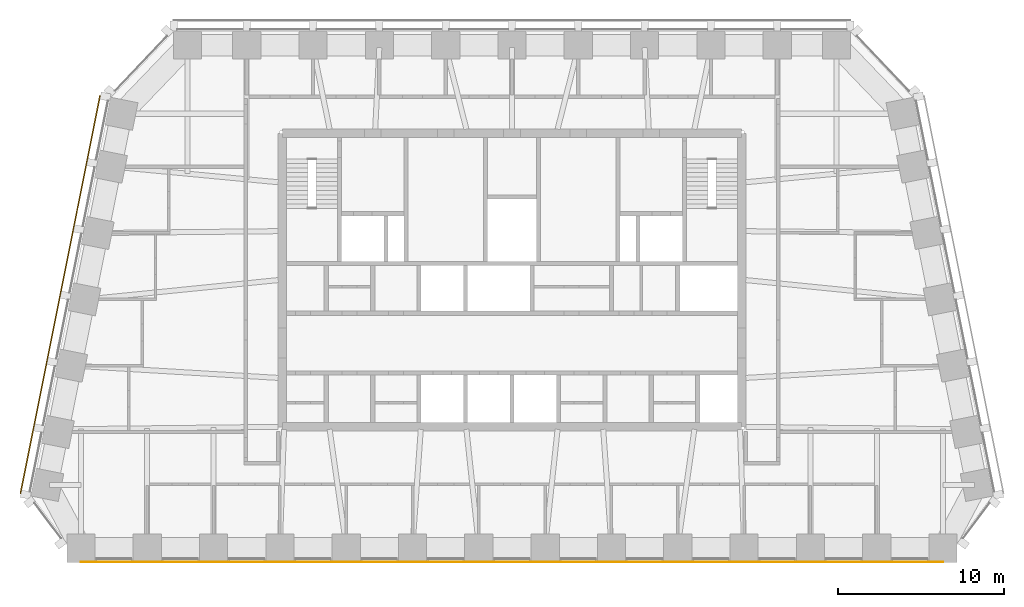
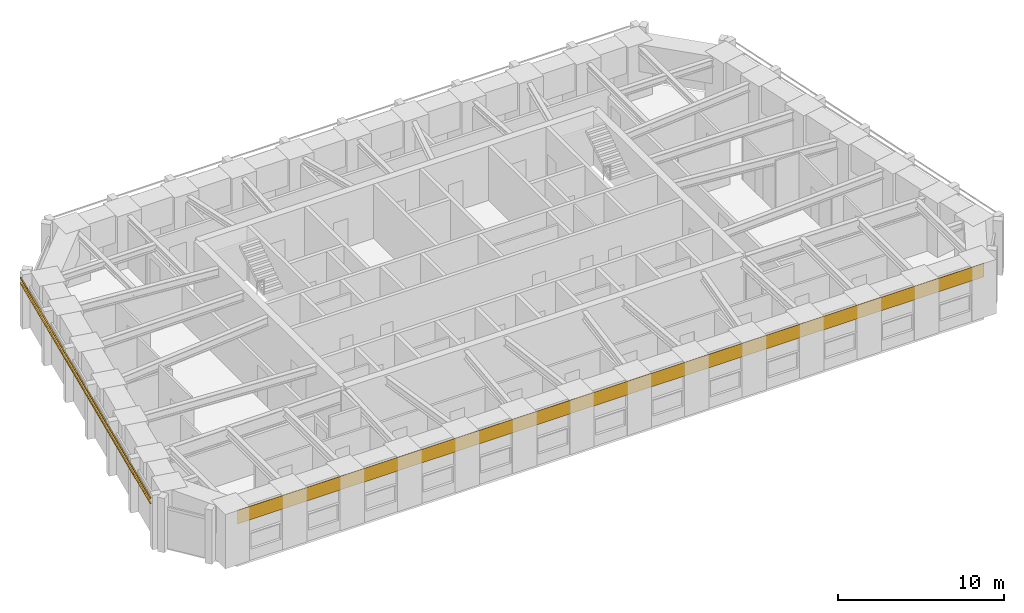
# One storey, part 8 of 10: 2 shading devices, 1 covering.
"""IFC4 building model written with IfcOpenShell, lengths in metres."""

from ifc_helpers import new_model, si_unit, direction, frame, origin, origin_2d, place, context, subcontext, project, spatial, rectangle, extrude, material, layer, layer_set, material_profile, profile_set, type_object, element, save


model = new_model("IFC4")

# Units and contexts
model_context = context("Model", 3, precision=1e-05, world=origin(), true_north=direction((0.0, 1.0)))
body_context = subcontext(model_context, "Body", "Model", "MODEL_VIEW")
ifc_project = project(units=[si_unit("LENGTHUNIT", "METRE"), si_unit("AREAUNIT", "SQUARE_METRE"), si_unit("VOLUMEUNIT", "CUBIC_METRE"), si_unit("PLANEANGLEUNIT", "RADIAN"), si_unit("MASSUNIT", "GRAM", prefix="KILO")], contexts=[model_context])

# Site, building, storey
site_placement = place(None, origin())
site = spatial("IfcSite", under=ifc_project, at=site_placement, CompositionType="ELEMENT")
building_placement = place(site_placement, origin())
building = spatial("IfcBuilding", under=site, at=building_placement, Name="Isbrekke Arena Tower", CompositionType="ELEMENT")
storey_placement = place(building_placement, frame((0.0, 0.0, 300.0)))
storey = spatial("IfcBuildingStorey", under=building, at=storey_placement, Name="L70", CompositionType="ELEMENT", Elevation=300.0)

# Shading devices
ifc_material_1 = material(Name="Terracotta", Category="masonry")
ifc_material_profile = material_profile(ifc_material_1, rectangle(XDim=0.06005859375, YDim=0.06005859375, at=origin_2d()), Name="BAGUETTE 60X60")
ifc_profile_set = profile_set([ifc_material_profile], Name="Terracotta")
shading_device_type = type_object("IfcShadingDeviceType", Name="BG1 TERRACOTTA BAGUETTE 60 x 60", PredefinedType="USERDEFINED", material=ifc_profile_set)
for number, where, z_axis, x_axis, name in (
    (1, (-24.84228515625, 26.12841796875, 3.280029296875), (-0.196118053403, -0.980580292036, 0.0), (0.980580292036, -0.196118053403, 0.0), "BG1 terracotta baguette W1 L70"),
    (2, (-24.84228515625, 26.12841796875, 3.679931640625), (-0.196118053403, -0.980580292036, 0.0), (0.980580292036, -0.196118053403, 0.0), "BG1 terracotta baguette W2 L70"),
):
    element("IfcShadingDevice", number, at=place(storey_placement, frame(where, z_axis=z_axis, x_axis=x_axis)), inside=storey, type_object=shading_device_type, Name=name, ObjectType="TERRACOTTA BAGUETTE", PredefinedType="USERDEFINED", context=body_context, shape_type="SweptSolid", body=[
        extrude(rectangle(XDim=0.06005859375, YDim=0.06005859375, at=origin_2d()), origin(), (0.0, 0.0, 1.0), 24.475341796875),
    ])

# Covering
ifc_material_2 = material(Name="Pre-patinated copper sheet", Category="metal")
ifc_layer = layer(ifc_material_2, 0.02001953125)
ifc_layer_set = layer_set([ifc_layer], Name="CL1 COPPER CLADDING")
covering_type = type_object("IfcCoveringType", Name="CL1 COPPER CLADDING", PredefinedType="CLADDING", material=ifc_layer_set)
covering_placement = place(storey_placement, frame((0.0, -2.010009765625, 3.0), z_axis=(0.0, 0.0, 1.0), x_axis=(1.0, 0.0, 0.0)))
element("IfcCovering", 3, at=covering_placement, inside=storey, type_object=covering_type, Name="CL1 copper cladding L70", PredefinedType="CLADDING", context=body_context, shape_type="SweptSolid", body=[
    extrude(rectangle(XDim=52.0, YDim=0.02001953125, at=origin_2d()), origin(), (0.0, 0.0, 1.0), 1.0),
])

save(model, "model.ifc")
